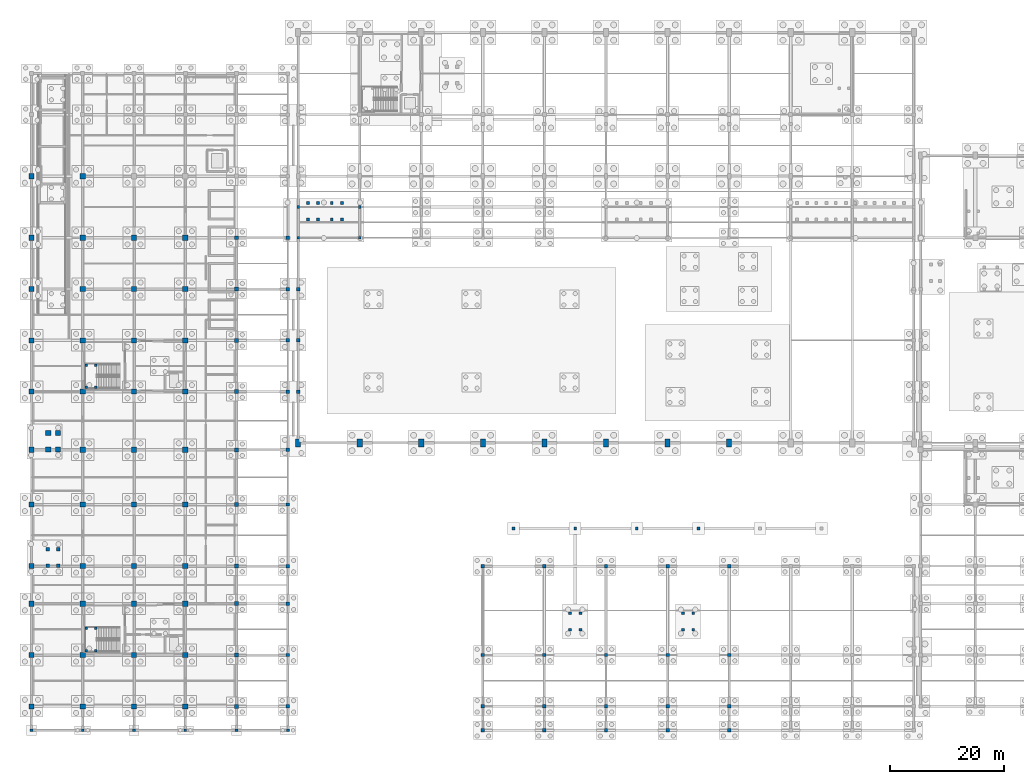
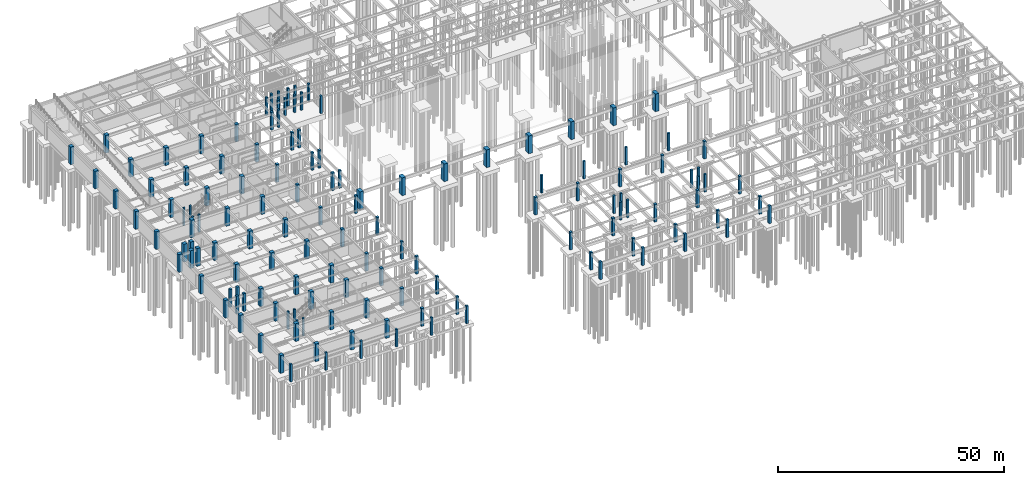
# One storey, part 11 of 33: 139 columns.
"""IFC4 building model written with IfcOpenShell, lengths in metres."""

from ifc_helpers import new_model, si_unit, direction, frame, origin, origin_2d, place, context, subcontext, project, spatial, rectangle, extrude, material, material_profile, profile_set, type_object, element, save


model = new_model("IFC4")

# Units and contexts
model_context = context("Model", 3, precision=1e-05, world=origin(), true_north=direction((0.0, 1.0)))
body_context = subcontext(model_context, "Body", "Model", "MODEL_VIEW")
ifc_project = project(units=[si_unit("LENGTHUNIT", "METRE"), si_unit("AREAUNIT", "SQUARE_METRE"), si_unit("VOLUMEUNIT", "CUBIC_METRE"), si_unit("PLANEANGLEUNIT", "RADIAN"), si_unit("MASSUNIT", "GRAM", prefix="KILO")], contexts=[model_context])

# Site, building, storey
site_placement = place(None, origin())
site = spatial("IfcSite", under=ifc_project, at=site_placement, CompositionType="ELEMENT")
building_placement = place(site_placement, origin())
building = spatial("IfcBuilding", under=site, at=building_placement, Name="Suirenkawa Promenade Aquatics Centre", CompositionType="ELEMENT")
storey_placement = place(building_placement, frame((0.0, 0.0, -4.800048828125)))
storey = spatial("IfcBuildingStorey", under=building, at=storey_placement, Name="B1", CompositionType="ELEMENT", Elevation=-4.800048828125)

# Columns
ifc_material = material(Name="Concrete M40", Category="concrete")
ifc_material_profile_1 = material_profile(ifc_material, rectangle(XDim=0.89990234375, YDim=1.39990234375, at=origin_2d()), Name="RC PIER 900x1400", Category="concrete")
ifc_profile_set_1 = profile_set([ifc_material_profile_1], Name="Concrete M40")
column_type_1 = type_object("IfcColumnType", Name="CT-PIER-900x1400", PredefinedType="COLUMN", material=ifc_profile_set_1)
for number, where, z_axis, x_axis, name in (
    (1, (68.39990234375, 50.39990234375, 0.0), (0.0, 0.0, 1.0), (1.0, 0.0, 0.0), "Column CL-09 COL-0044"),
    (2, (111.60009765625, 50.39990234375, 0.0), (0.0, 0.0, 1.0), (1.0, 0.0, 0.0), "Column CL-09 COL-0060"),
    (3, (46.800048828125, 50.39990234375, 0.0), (0.0, 0.0, 1.0), (1.0, 0.0, 0.0), "Column CL-09 COL-0100"),
    (4, (57.60009765625, 50.39990234375, 0.0), (0.0, 0.0, 1.0), (1.0, 0.0, 0.0), "Column CL-09 COL-0106"),
    (5, (79.199951171875, 50.39990234375, 0.0), (0.0, 0.0, 1.0), (1.0, 0.0, 0.0), "Column CL-09 COL-0115"),
    (6, (90.0, 50.39990234375, 0.0), (0.0, 0.0, 1.0), (1.0, 0.0, 0.0), "Column CL-09 COL-0121"),
    (7, (100.800048828125, 50.39990234375, 0.0), (0.0, 0.0, 1.0), (1.0, 0.0, 0.0), "Column CL-09 COL-0127"),
    (8, (122.39990234375, 50.39990234375, 0.0), (0.0, 0.0, 1.0), (1.0, 0.0, 0.0), "Column CL-09 COL-0136"),
):
    element("IfcColumn", number, at=place(storey_placement, frame(where, z_axis=z_axis, x_axis=x_axis)), inside=storey, type_object=column_type_1, Name=name, PredefinedType="COLUMN", context=body_context, shape_type="SweptSolid", body=[
        extrude(rectangle(XDim=0.89990234375, YDim=1.39990234375, at=origin_2d()), origin(), (0.0, 0.0, 1.0), 4.800048828125),
    ])
ifc_material_profile_2 = material_profile(ifc_material, rectangle(XDim=0.449951171875, YDim=0.449951171875, at=origin_2d()), Name="RC COL 450x450", Category="concrete")
ifc_profile_set_2 = profile_set([ifc_material_profile_2], Name="Concrete M40")
column_type_2 = type_object("IfcColumnType", Name="CT-RC-450", PredefinedType="COLUMN", material=ifc_profile_set_2)
for number, where, z_axis, x_axis, name in (
    (9, (9.64990234375, 13.969970703125, 0.0), (0.0, 0.0, 1.0), (1.0, 0.0, 0.0), "Core stair landing column CL-01 COL-CR-C1-B1-1"),
    (10, (11.300048828125, 13.969970703125, 0.0), (0.0, 0.0, 1.0), (1.0, 0.0, 0.0), "Core stair landing column CL-01 COL-CR-C1-B1-2"),
    (11, (9.64990234375, 17.860107421875, 0.0), (0.0, 0.0, 1.0), (1.0, 0.0, 0.0), "Core stair landing column CL-01 COL-CR-C1-B1-3"),
    (12, (11.300048828125, 17.860107421875, 0.0), (0.0, 0.0, 1.0), (1.0, 0.0, 0.0), "Core stair landing column CL-01 COL-CR-C1-B1-4"),
    (13, (9.64990234375, 60.169921875, 0.0), (0.0, 0.0, 1.0), (1.0, 0.0, 0.0), "Core stair landing column CL-01 COL-CR-C2-B1-1"),
    (14, (11.300048828125, 60.169921875, 0.0), (0.0, 0.0, 1.0), (1.0, 0.0, 0.0), "Core stair landing column CL-01 COL-CR-C2-B1-2"),
    (15, (9.64990234375, 64.06005859375, 0.0), (0.0, 0.0, 1.0), (1.0, 0.0, 0.0), "Core stair landing column CL-01 COL-CR-C2-B1-3"),
    (16, (11.300048828125, 64.06005859375, 0.0), (0.0, 0.0, 1.0), (1.0, 0.0, 0.0), "Core stair landing column CL-01 COL-CR-C2-B1-4"),
):
    element("IfcColumn", number, at=place(storey_placement, frame(where, z_axis=z_axis, x_axis=x_axis)), inside=storey, type_object=column_type_2, Name=name, PredefinedType="COLUMN", context=body_context, shape_type="SweptSolid", body=[
        extrude(rectangle(XDim=0.449951171875, YDim=0.449951171875, at=origin_2d()), origin(), (0.0, 0.0, 1.0), 4.800048828125),
    ])
ifc_material_profile_3 = material_profile(ifc_material, rectangle(XDim=0.5, YDim=0.5, at=origin_2d()), Name="RC COL 500x500", Category="concrete")
ifc_profile_set_3 = profile_set([ifc_material_profile_3], Name="Concrete M40")
column_type_3 = type_object("IfcColumnType", Name="CT-RC-500", PredefinedType="COLUMN", material=ifc_profile_set_3)
for number, where, z_axis, x_axis, name in (
    (17, (0.0, 0.0, 0.0), (0.0, 0.0, 1.0), (1.0, 0.0, 0.0), "Column CL-02 COL-0935"),
    (18, (9.0, 0.0, 0.0), (0.0, 0.0, 1.0), (1.0, 0.0, 0.0), "Column CL-02 COL-0937"),
    (19, (18.0, 0.0, 0.0), (0.0, 0.0, 1.0), (1.0, 0.0, 0.0), "Column CL-02 COL-0939"),
    (20, (27.0, 0.0, 0.0), (0.0, 0.0, 1.0), (1.0, 0.0, 0.0), "Column CL-02 COL-0941"),
    (21, (36.0, 0.0, 0.0), (0.0, 0.0, 1.0), (1.0, 0.0, 0.0), "Column CL-02 COL-0943"),
    (22, (45.0, 0.0, 0.0), (0.0, 0.0, 1.0), (1.0, 0.0, 0.0), "Column CL-02 COL-0945"),
    (23, (46.800048828125, 86.39990234375, 0.0), (0.0, 0.0, 1.0), (1.0, 0.0, 0.0), "Column CL-02 COL-0947"),
    (24, (46.800048828125, 91.800048828125, 0.0), (0.0, 0.0, 1.0), (1.0, 0.0, 0.0), "Column CL-02 COL-0949"),
    (25, (57.60009765625, 86.39990234375, 0.0), (0.0, 0.0, 1.0), (1.0, 0.0, 0.0), "Column CL-02 COL-0951"),
    (26, (57.60009765625, 91.800048828125, 0.0), (0.0, 0.0, 1.0), (1.0, 0.0, 0.0), "Column CL-02 COL-0953"),
    (27, (48.4951171875, 89.625, 0.0), (0.0, 0.0, 1.0), (1.0, 0.0, 0.0), "Column CL-02 COL-0991"),
    (28, (48.4951171875, 92.52490234375, 0.0), (0.0, 0.0, 1.0), (1.0, 0.0, 0.0), "Column CL-02 COL-0993"),
    (29, (50.304931640625, 89.625, 0.0), (0.0, 0.0, 1.0), (1.0, 0.0, 0.0), "Column CL-02 COL-0995"),
    (30, (50.304931640625, 92.52490234375, 0.0), (0.0, 0.0, 1.0), (1.0, 0.0, 0.0), "Column CL-02 COL-0997"),
    (31, (52.695068359375, 89.625, 0.0), (0.0, 0.0, 1.0), (1.0, 0.0, 0.0), "Column CL-02 COL-0999"),
    (32, (52.695068359375, 92.52490234375, 0.0), (0.0, 0.0, 1.0), (1.0, 0.0, 0.0), "Column CL-02 COL-1001"),
    (33, (54.5048828125, 89.625, 0.0), (0.0, 0.0, 1.0), (1.0, 0.0, 0.0), "Column CL-02 COL-1003"),
    (34, (54.5048828125, 92.52490234375, 0.0), (0.0, 0.0, 1.0), (1.0, 0.0, 0.0), "Column CL-02 COL-1005"),
    (35, (94.4951171875, 17.625, 0.0), (0.0, 0.0, 1.0), (1.0, 0.0, 0.0), "Column CL-02 COL-1071"),
    (36, (94.4951171875, 20.52490234375, 0.0), (0.0, 0.0, 1.0), (1.0, 0.0, 0.0), "Column CL-02 COL-1073"),
    (37, (96.304931640625, 17.625, 0.0), (0.0, 0.0, 1.0), (1.0, 0.0, 0.0), "Column CL-02 COL-1075"),
    (38, (96.304931640625, 20.52490234375, 0.0), (0.0, 0.0, 1.0), (1.0, 0.0, 0.0), "Column CL-02 COL-1077"),
    (39, (114.294921875, 17.625, 0.0), (0.0, 0.0, 1.0), (1.0, 0.0, 0.0), "Column CL-02 COL-1079"),
    (40, (114.294921875, 20.52490234375, 0.0), (0.0, 0.0, 1.0), (1.0, 0.0, 0.0), "Column CL-02 COL-1081"),
    (41, (116.10498046875, 17.625, 0.0), (0.0, 0.0, 1.0), (1.0, 0.0, 0.0), "Column CL-02 COL-1083"),
    (42, (116.10498046875, 20.52490234375, 0.0), (0.0, 0.0, 1.0), (1.0, 0.0, 0.0), "Column CL-02 COL-1085"),
    (43, (84.60009765625, 35.39990234375, 0.0), (0.0, 0.0, 1.0), (1.0, 0.0, 0.0), "Column CL-02 COL-1103"),
    (44, (95.39990234375, 35.39990234375, 0.0), (0.0, 0.0, 1.0), (1.0, 0.0, 0.0), "Column CL-02 COL-1105"),
    (45, (106.199951171875, 35.39990234375, 0.0), (0.0, 0.0, 1.0), (1.0, 0.0, 0.0), "Column CL-02 COL-1107"),
    (46, (117.0, 35.39990234375, 0.0), (0.0, 0.0, 1.0), (1.0, 0.0, 0.0), "Column CL-02 COL-1109"),
):
    element("IfcColumn", number, at=place(storey_placement, frame(where, z_axis=z_axis, x_axis=x_axis)), inside=storey, type_object=column_type_3, Name=name, PredefinedType="COLUMN", context=body_context, shape_type="SweptSolid", body=[
        extrude(rectangle(XDim=0.5, YDim=0.5, at=origin_2d()), origin(), (0.0, 0.0, 1.0), 4.800048828125),
    ])
ifc_material_profile_4 = material_profile(ifc_material, rectangle(XDim=0.60009765625, YDim=0.60009765625, at=origin_2d()), Name="RC COL 600x600", Category="concrete")
ifc_profile_set_4 = profile_set([ifc_material_profile_4], Name="Concrete M40")
column_type_4 = type_object("IfcColumnType", Name="CT-RC-600", PredefinedType="COLUMN", material=ifc_profile_set_4)
for number, where, z_axis, x_axis, name in (
    (47, (45.0, 4.199951171875, 0.0), (0.0, 0.0, 1.0), (1.0, 0.0, 0.0), "Column CL-03 COL-0716"),
    (48, (45.0, 13.199951171875, 0.0), (0.0, 0.0, 1.0), (1.0, 0.0, 0.0), "Column CL-03 COL-0719"),
    (49, (45.0, 22.199951171875, 0.0), (0.0, 0.0, 1.0), (1.0, 0.0, 0.0), "Column CL-03 COL-0722"),
    (50, (45.0, 28.800048828125, 0.0), (0.0, 0.0, 1.0), (1.0, 0.0, 0.0), "Column CL-03 COL-0725"),
    (51, (45.0, 39.60009765625, 0.0), (0.0, 0.0, 1.0), (1.0, 0.0, 0.0), "Column CL-03 COL-0728"),
    (52, (45.0, 49.199951171875, 0.0), (0.0, 0.0, 1.0), (1.0, 0.0, 0.0), "Column CL-03 COL-0731"),
    (53, (45.0, 59.39990234375, 0.0), (0.0, 0.0, 1.0), (1.0, 0.0, 0.0), "Column CL-03 COL-0734"),
    (54, (45.0, 68.39990234375, 0.0), (0.0, 0.0, 1.0), (1.0, 0.0, 0.0), "Column CL-03 COL-0737"),
    (55, (45.0, 77.39990234375, 0.0), (0.0, 0.0, 1.0), (1.0, 0.0, 0.0), "Column CL-03 COL-0740"),
    (56, (45.0, 86.39990234375, 0.0), (0.0, 0.0, 1.0), (1.0, 0.0, 0.0), "Column CL-03 COL-0743"),
    (57, (46.800048828125, 59.39990234375, 0.0), (0.0, 0.0, 1.0), (1.0, 0.0, 0.0), "Column CL-03 COL-0785"),
    (58, (46.800048828125, 68.39990234375, 0.0), (0.0, 0.0, 1.0), (1.0, 0.0, 0.0), "Column CL-03 COL-0788"),
    (59, (46.800048828125, 77.39990234375, 0.0), (0.0, 0.0, 1.0), (1.0, 0.0, 0.0), "Column CL-03 COL-0791"),
    (60, (79.199951171875, 0.0, 0.0), (0.0, 0.0, 1.0), (1.0, 0.0, 0.0), "Column CL-03 COL-0803"),
    (61, (79.199951171875, 4.199951171875, 0.0), (0.0, 0.0, 1.0), (1.0, 0.0, 0.0), "Column CL-03 COL-0806"),
    (62, (79.199951171875, 13.199951171875, 0.0), (0.0, 0.0, 1.0), (1.0, 0.0, 0.0), "Column CL-03 COL-0809"),
    (63, (79.199951171875, 28.800048828125, 0.0), (0.0, 0.0, 1.0), (1.0, 0.0, 0.0), "Column CL-03 COL-0812"),
    (64, (90.0, 0.0, 0.0), (0.0, 0.0, 1.0), (1.0, 0.0, 0.0), "Column CL-03 COL-0815"),
    (65, (90.0, 4.199951171875, 0.0), (0.0, 0.0, 1.0), (1.0, 0.0, 0.0), "Column CL-03 COL-0818"),
    (66, (90.0, 13.199951171875, 0.0), (0.0, 0.0, 1.0), (1.0, 0.0, 0.0), "Column CL-03 COL-0821"),
    (67, (90.0, 28.800048828125, 0.0), (0.0, 0.0, 1.0), (1.0, 0.0, 0.0), "Column CL-03 COL-0824"),
    (68, (100.800048828125, 0.0, 0.0), (0.0, 0.0, 1.0), (1.0, 0.0, 0.0), "Column CL-03 COL-0827"),
    (69, (100.800048828125, 4.199951171875, 0.0), (0.0, 0.0, 1.0), (1.0, 0.0, 0.0), "Column CL-03 COL-0830"),
    (70, (100.800048828125, 13.199951171875, 0.0), (0.0, 0.0, 1.0), (1.0, 0.0, 0.0), "Column CL-03 COL-0833"),
    (71, (100.800048828125, 28.800048828125, 0.0), (0.0, 0.0, 1.0), (1.0, 0.0, 0.0), "Column CL-03 COL-0836"),
    (72, (111.60009765625, 0.0, 0.0), (0.0, 0.0, 1.0), (1.0, 0.0, 0.0), "Column CL-03 COL-0839"),
    (73, (111.60009765625, 4.199951171875, 0.0), (0.0, 0.0, 1.0), (1.0, 0.0, 0.0), "Column CL-03 COL-0842"),
    (74, (111.60009765625, 13.199951171875, 0.0), (0.0, 0.0, 1.0), (1.0, 0.0, 0.0), "Column CL-03 COL-0845"),
    (75, (111.60009765625, 28.800048828125, 0.0), (0.0, 0.0, 1.0), (1.0, 0.0, 0.0), "Column CL-03 COL-0848"),
    (76, (122.39990234375, 0.0, 0.0), (0.0, 0.0, 1.0), (1.0, 0.0, 0.0), "Column CL-03 COL-0851"),
    (77, (122.39990234375, 4.199951171875, 0.0), (0.0, 0.0, 1.0), (1.0, 0.0, 0.0), "Column CL-03 COL-0854"),
    (78, (122.39990234375, 13.199951171875, 0.0), (0.0, 0.0, 1.0), (1.0, 0.0, 0.0), "Column CL-03 COL-0857"),
    (79, (122.39990234375, 28.800048828125, 0.0), (0.0, 0.0, 1.0), (1.0, 0.0, 0.0), "Column CL-03 COL-0860"),
    (80, (2.89501953125, 28.824951171875, 0.0), (0.0, 0.0, 1.0), (1.0, 0.0, 0.0), "Column CL-03 COL-0896"),
    (81, (2.89501953125, 31.72509765625, 0.0), (0.0, 0.0, 1.0), (1.0, 0.0, 0.0), "Column CL-03 COL-0899"),
    (82, (4.705078125, 28.824951171875, 0.0), (0.0, 0.0, 1.0), (1.0, 0.0, 0.0), "Column CL-03 COL-0902"),
    (83, (4.705078125, 31.72509765625, 0.0), (0.0, 0.0, 1.0), (1.0, 0.0, 0.0), "Column CL-03 COL-0905"),
):
    element("IfcColumn", number, at=place(storey_placement, frame(where, z_axis=z_axis, x_axis=x_axis)), inside=storey, type_object=column_type_4, Name=name, PredefinedType="COLUMN", context=body_context, shape_type="SweptSolid", body=[
        extrude(rectangle(XDim=0.60009765625, YDim=0.60009765625, at=origin_2d()), origin(), (0.0, 0.0, 1.0), 4.800048828125),
    ])
ifc_material_profile_5 = material_profile(ifc_material, rectangle(XDim=0.699951171875, YDim=0.699951171875, at=origin_2d()), Name="RC COL 700x700", Category="concrete")
ifc_profile_set_5 = profile_set([ifc_material_profile_5], Name="Concrete M40")
column_type_5 = type_object("IfcColumnType", Name="CT-RC-700", PredefinedType="COLUMN", material=ifc_profile_set_5)
for number, where, z_axis, x_axis, name in (
    (84, (36.0, 4.199951171875, 0.0), (0.0, 0.0, 1.0), (1.0, 0.0, 0.0), "Column CL-04 COL-0524"),
    (85, (36.0, 13.199951171875, 0.0), (0.0, 0.0, 1.0), (1.0, 0.0, 0.0), "Column CL-04 COL-0528"),
    (86, (36.0, 22.199951171875, 0.0), (0.0, 0.0, 1.0), (1.0, 0.0, 0.0), "Column CL-04 COL-0532"),
    (87, (36.0, 28.800048828125, 0.0), (0.0, 0.0, 1.0), (1.0, 0.0, 0.0), "Column CL-04 COL-0536"),
    (88, (36.0, 39.60009765625, 0.0), (0.0, 0.0, 1.0), (1.0, 0.0, 0.0), "Column CL-04 COL-0540"),
    (89, (36.0, 49.199951171875, 0.0), (0.0, 0.0, 1.0), (1.0, 0.0, 0.0), "Column CL-04 COL-0544"),
    (90, (36.0, 59.39990234375, 0.0), (0.0, 0.0, 1.0), (1.0, 0.0, 0.0), "Column CL-04 COL-0548"),
    (91, (36.0, 68.39990234375, 0.0), (0.0, 0.0, 1.0), (1.0, 0.0, 0.0), "Column CL-04 COL-0552"),
    (92, (36.0, 77.39990234375, 0.0), (0.0, 0.0, 1.0), (1.0, 0.0, 0.0), "Column CL-04 COL-0556"),
    (93, (36.0, 86.39990234375, 0.0), (0.0, 0.0, 1.0), (1.0, 0.0, 0.0), "Column CL-04 COL-0560"),
):
    element("IfcColumn", number, at=place(storey_placement, frame(where, z_axis=z_axis, x_axis=x_axis)), inside=storey, type_object=column_type_5, Name=name, PredefinedType="COLUMN", context=body_context, shape_type="SweptSolid", body=[
        extrude(rectangle(XDim=0.699951171875, YDim=0.699951171875, at=origin_2d()), origin(), (0.0, 0.0, 1.0), 4.800048828125),
    ])
ifc_material_profile_6 = material_profile(ifc_material, rectangle(XDim=0.89990234375, YDim=0.89990234375, at=origin_2d()), Name="RC COL 900x900", Category="concrete")
ifc_profile_set_6 = profile_set([ifc_material_profile_6], Name="Concrete M40")
column_type_6 = type_object("IfcColumnType", Name="CT-RC-900", PredefinedType="COLUMN", material=ifc_profile_set_6)
for number, where, z_axis, x_axis, name in (
    (94, (0.0, 4.199951171875, 0.0), (0.0, 0.0, 1.0), (1.0, 0.0, 0.0), "Column CL-06 COL-0160"),
    (95, (0.0, 13.199951171875, 0.0), (0.0, 0.0, 1.0), (1.0, 0.0, 0.0), "Column CL-06 COL-0166"),
    (96, (0.0, 22.199951171875, 0.0), (0.0, 0.0, 1.0), (1.0, 0.0, 0.0), "Column CL-06 COL-0172"),
    (97, (0.0, 28.800048828125, 0.0), (0.0, 0.0, 1.0), (1.0, 0.0, 0.0), "Column CL-06 COL-0178"),
    (98, (0.0, 39.60009765625, 0.0), (0.0, 0.0, 1.0), (1.0, 0.0, 0.0), "Column CL-06 COL-0184"),
    (99, (0.0, 49.199951171875, 0.0), (0.0, 0.0, 1.0), (1.0, 0.0, 0.0), "Column CL-06 COL-0190"),
    (100, (0.0, 59.39990234375, 0.0), (0.0, 0.0, 1.0), (1.0, 0.0, 0.0), "Column CL-06 COL-0196"),
    (101, (0.0, 68.39990234375, 0.0), (0.0, 0.0, 1.0), (1.0, 0.0, 0.0), "Column CL-06 COL-0202"),
    (102, (9.0, 4.199951171875, 0.0), (0.0, 0.0, 1.0), (1.0, 0.0, 0.0), "Column CL-06 COL-0208"),
    (103, (9.0, 13.199951171875, 0.0), (0.0, 0.0, 1.0), (1.0, 0.0, 0.0), "Column CL-06 COL-0214"),
    (104, (9.0, 22.199951171875, 0.0), (0.0, 0.0, 1.0), (1.0, 0.0, 0.0), "Column CL-06 COL-0220"),
    (105, (9.0, 28.800048828125, 0.0), (0.0, 0.0, 1.0), (1.0, 0.0, 0.0), "Column CL-06 COL-0226"),
    (106, (9.0, 39.60009765625, 0.0), (0.0, 0.0, 1.0), (1.0, 0.0, 0.0), "Column CL-06 COL-0232"),
    (107, (9.0, 49.199951171875, 0.0), (0.0, 0.0, 1.0), (1.0, 0.0, 0.0), "Column CL-06 COL-0238"),
    (108, (9.0, 59.39990234375, 0.0), (0.0, 0.0, 1.0), (1.0, 0.0, 0.0), "Column CL-06 COL-0244"),
    (109, (9.0, 68.39990234375, 0.0), (0.0, 0.0, 1.0), (1.0, 0.0, 0.0), "Column CL-06 COL-0250"),
    (110, (18.0, 4.199951171875, 0.0), (0.0, 0.0, 1.0), (1.0, 0.0, 0.0), "Column CL-06 COL-0256"),
    (111, (18.0, 13.199951171875, 0.0), (0.0, 0.0, 1.0), (1.0, 0.0, 0.0), "Column CL-06 COL-0262"),
    (112, (18.0, 22.199951171875, 0.0), (0.0, 0.0, 1.0), (1.0, 0.0, 0.0), "Column CL-06 COL-0268"),
    (113, (18.0, 28.800048828125, 0.0), (0.0, 0.0, 1.0), (1.0, 0.0, 0.0), "Column CL-06 COL-0274"),
    (114, (18.0, 39.60009765625, 0.0), (0.0, 0.0, 1.0), (1.0, 0.0, 0.0), "Column CL-06 COL-0280"),
    (115, (18.0, 49.199951171875, 0.0), (0.0, 0.0, 1.0), (1.0, 0.0, 0.0), "Column CL-06 COL-0286"),
    (116, (18.0, 59.39990234375, 0.0), (0.0, 0.0, 1.0), (1.0, 0.0, 0.0), "Column CL-06 COL-0292"),
    (117, (18.0, 68.39990234375, 0.0), (0.0, 0.0, 1.0), (1.0, 0.0, 0.0), "Column CL-06 COL-0298"),
    (118, (27.0, 4.199951171875, 0.0), (0.0, 0.0, 1.0), (1.0, 0.0, 0.0), "Column CL-06 COL-0304"),
    (119, (27.0, 13.199951171875, 0.0), (0.0, 0.0, 1.0), (1.0, 0.0, 0.0), "Column CL-06 COL-0310"),
    (120, (27.0, 22.199951171875, 0.0), (0.0, 0.0, 1.0), (1.0, 0.0, 0.0), "Column CL-06 COL-0316"),
    (121, (27.0, 28.800048828125, 0.0), (0.0, 0.0, 1.0), (1.0, 0.0, 0.0), "Column CL-06 COL-0322"),
    (122, (27.0, 39.60009765625, 0.0), (0.0, 0.0, 1.0), (1.0, 0.0, 0.0), "Column CL-06 COL-0328"),
    (123, (27.0, 49.199951171875, 0.0), (0.0, 0.0, 1.0), (1.0, 0.0, 0.0), "Column CL-06 COL-0334"),
    (124, (27.0, 59.39990234375, 0.0), (0.0, 0.0, 1.0), (1.0, 0.0, 0.0), "Column CL-06 COL-0340"),
    (125, (27.0, 68.39990234375, 0.0), (0.0, 0.0, 1.0), (1.0, 0.0, 0.0), "Column CL-06 COL-0346"),
    (126, (0.0, 77.39990234375, 0.0), (0.0, 0.0, 1.0), (1.0, 0.0, 0.0), "Column CL-06 COL-0352"),
    (127, (0.0, 86.39990234375, 0.0), (0.0, 0.0, 1.0), (1.0, 0.0, 0.0), "Column CL-06 COL-0357"),
    (128, (0.0, 97.199951171875, 0.0), (0.0, 0.0, 1.0), (1.0, 0.0, 0.0), "Column CL-06 COL-0362"),
    (129, (9.0, 77.39990234375, 0.0), (0.0, 0.0, 1.0), (1.0, 0.0, 0.0), "Column CL-06 COL-0367"),
    (130, (9.0, 86.39990234375, 0.0), (0.0, 0.0, 1.0), (1.0, 0.0, 0.0), "Column CL-06 COL-0372"),
    (131, (9.0, 97.199951171875, 0.0), (0.0, 0.0, 1.0), (1.0, 0.0, 0.0), "Column CL-06 COL-0377"),
    (132, (18.0, 77.39990234375, 0.0), (0.0, 0.0, 1.0), (1.0, 0.0, 0.0), "Column CL-06 COL-0382"),
    (133, (18.0, 86.39990234375, 0.0), (0.0, 0.0, 1.0), (1.0, 0.0, 0.0), "Column CL-06 COL-0387"),
    (134, (27.0, 77.39990234375, 0.0), (0.0, 0.0, 1.0), (1.0, 0.0, 0.0), "Column CL-06 COL-0397"),
    (135, (27.0, 86.39990234375, 0.0), (0.0, 0.0, 1.0), (1.0, 0.0, 0.0), "Column CL-06 COL-0402"),
    (136, (2.945068359375, 49.22509765625, 0.0), (0.0, 0.0, 1.0), (1.0, 0.0, 0.0), "Column CL-06 COL-0432"),
    (137, (2.945068359375, 52.125, 0.0), (0.0, 0.0, 1.0), (1.0, 0.0, 0.0), "Column CL-06 COL-0437"),
    (138, (4.655029296875, 49.22509765625, 0.0), (0.0, 0.0, 1.0), (1.0, 0.0, 0.0), "Column CL-06 COL-0442"),
    (139, (4.655029296875, 52.125, 0.0), (0.0, 0.0, 1.0), (1.0, 0.0, 0.0), "Column CL-06 COL-0447"),
):
    element("IfcColumn", number, at=place(storey_placement, frame(where, z_axis=z_axis, x_axis=x_axis)), inside=storey, type_object=column_type_6, Name=name, PredefinedType="COLUMN", context=body_context, shape_type="SweptSolid", body=[
        extrude(rectangle(XDim=0.89990234375, YDim=0.89990234375, at=origin_2d()), origin(), (0.0, 0.0, 1.0), 4.800048828125),
    ])

save(model, "model.ifc")
